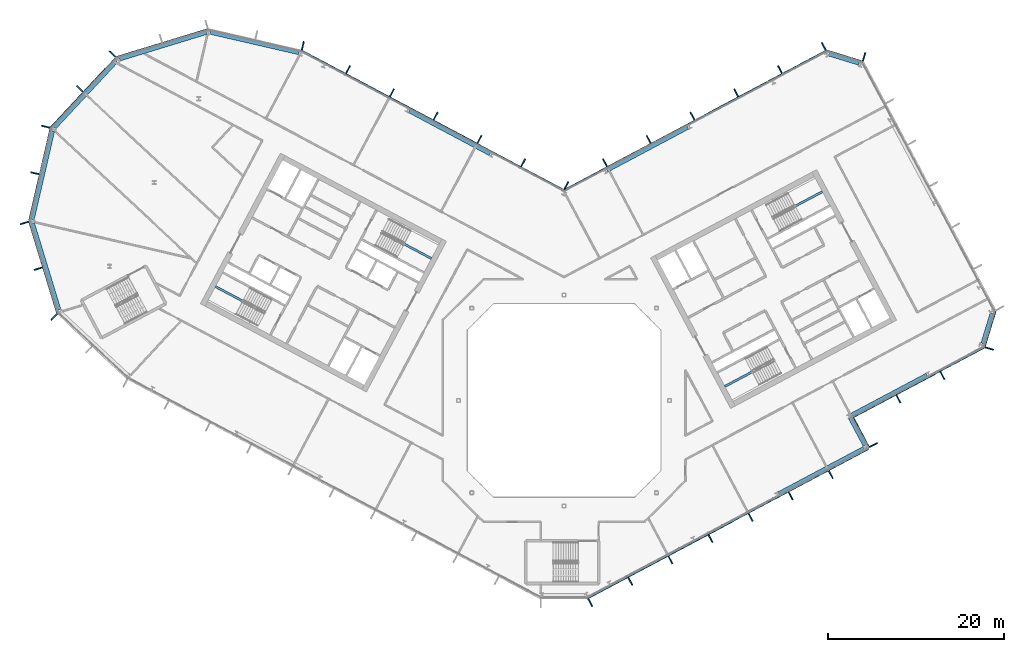
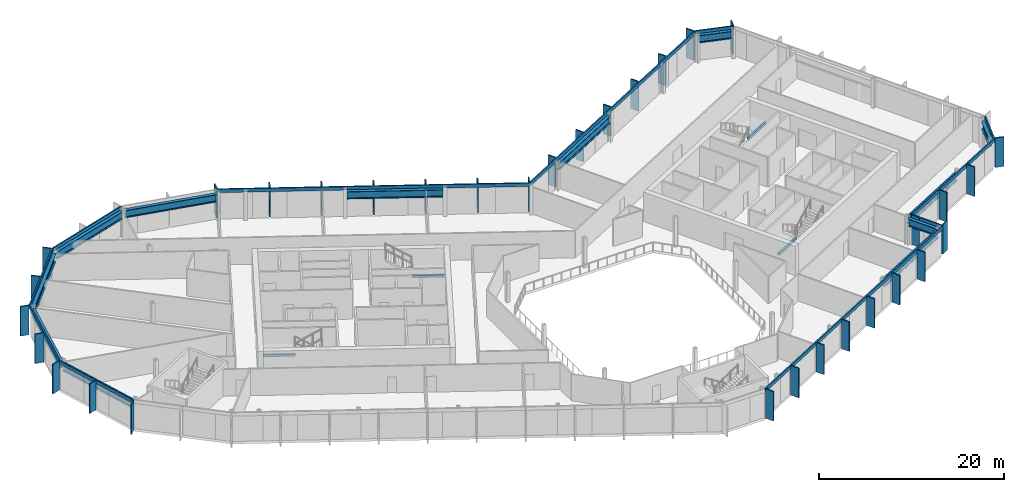
# One storey, part 9 of 27: 44 members, 16 beams, 13 elements without a shape of their own.
"""IFC4 building model written with IfcOpenShell, lengths in metres."""

from ifc_helpers import new_model, si_unit, direction, frame, origin, origin_2d, place, context, subcontext, project, spatial, rectangle, i_section, extrude, material, layer, layer_set, material_profile, profile_set, type_object, element, aggregate, save


model = new_model("IFC4")

# Units and contexts
model_context = context("Model", 3, precision=1e-05, world=origin(), true_north=direction((0.0, 1.0)))
body_context = subcontext(model_context, "Body", "Model", "MODEL_VIEW")
ifc_project = project(units=[si_unit("LENGTHUNIT", "METRE"), si_unit("AREAUNIT", "SQUARE_METRE"), si_unit("VOLUMEUNIT", "CUBIC_METRE"), si_unit("PLANEANGLEUNIT", "RADIAN"), si_unit("MASSUNIT", "GRAM", prefix="KILO")], contexts=[model_context])

# Site, building, storey
site_placement = place(None, origin())
site = spatial("IfcSite", under=ifc_project, at=site_placement, CompositionType="ELEMENT")
building_placement = place(site_placement, origin())
building = spatial("IfcBuilding", under=site, at=building_placement, Name="Cormorant Relay Tower", CompositionType="ELEMENT")
storey_placement = place(building_placement, frame((0.0, 0.0, 201.300048828125)))
storey = spatial("IfcBuildingStorey", under=building, at=storey_placement, Name="L43", CompositionType="ELEMENT", Elevation=201.300048828125)

# Curtain wall, members
ifc_material_1 = material(Name="Aluminium 6063-T6 anodised bronze", Category="aluminium")
ifc_layer = layer(ifc_material_1, 0.199951171875)
ifc_layer_set = layer_set([ifc_layer], Name="CW1 unitised bronze curtain wall with vertical fins")
curtain_wall_type = type_object("IfcCurtainWallType", Name="CW1 unitised bronze curtain wall with vertical fins", PredefinedType="NOTDEFINED", material=ifc_layer_set)
curtain_wall_1_placement = place(storey_placement, origin())
curtain_wall_1 = element("IfcCurtainWall", 1, at=curtain_wall_1_placement, inside=storey, type_object=curtain_wall_type, Name="CW1 curtain wall 2", PredefinedType="NOTDEFINED")
ifc_material_2 = material(Name="Aluminium 6063-T6 anodised bronze", Category="aluminium")
ifc_material_profile_1 = material_profile(ifc_material_2, rectangle(XDim=0.14990234375, YDim=1.0, at=origin_2d()), Name="AL 150x1000")
ifc_profile_set_1 = profile_set([ifc_material_profile_1], Name="Aluminium 6063-T6 anodised bronze")
member_type_1 = type_object("IfcMemberType", Name="CW1 bronze fin mullion 150 x 1000", PredefinedType="MULLION", material=ifc_profile_set_1)
member_1_placement = place(storey_placement, frame((2.9775390625, -22.99365234375, 0.0), z_axis=(0.0, 0.0, 1.0), x_axis=(0.882947592859, 0.469471562786, 0.0)))
member_1 = element("IfcMember", 2, at=member_1_placement, type_object=member_type_1, Name="CW1 fin 2.1", PredefinedType="MULLION", context=body_context, shape_type="SweptSolid", body=[
    extrude(rectangle(XDim=0.14990234375, YDim=1.0, at=origin_2d()), origin(), (0.0, 0.0, 1.0), 3.89990234375),
])
member_2_placement = place(storey_placement, frame((7.539306640625, -20.568115234375, 0.0), z_axis=(0.0, 0.0, 1.0), x_axis=(0.882947592859, 0.469471562786, 0.0)))
member_2 = element("IfcMember", 3, at=member_2_placement, type_object=member_type_1, Name="CW1 fin 2.2", PredefinedType="MULLION", context=body_context, shape_type="SweptSolid", body=[
    extrude(rectangle(XDim=0.14990234375, YDim=1.0, at=origin_2d()), origin(), (0.0, 0.0, 1.0), 3.89990234375),
])
member_3_placement = place(storey_placement, frame((12.10107421875, -18.142578125, 0.0), z_axis=(0.0, 0.0, 1.0), x_axis=(0.882947592859, 0.469471562786, 0.0)))
member_3 = element("IfcMember", 4, at=member_3_placement, type_object=member_type_1, Name="CW1 fin 2.3", PredefinedType="MULLION", context=body_context, shape_type="SweptSolid", body=[
    extrude(rectangle(XDim=0.14990234375, YDim=1.0, at=origin_2d()), origin(), (0.0, 0.0, 1.0), 3.89990234375),
])
member_4_placement = place(storey_placement, frame((16.662841796875, -15.717041015625, 0.0), z_axis=(0.0, 0.0, 1.0), x_axis=(0.882947592859, 0.469471562786, 0.0)))
member_4 = element("IfcMember", 5, at=member_4_placement, type_object=member_type_1, Name="CW1 fin 2.4", PredefinedType="MULLION", context=body_context, shape_type="SweptSolid", body=[
    extrude(rectangle(XDim=0.14990234375, YDim=1.0, at=origin_2d()), origin(), (0.0, 0.0, 1.0), 3.89990234375),
])
member_5_placement = place(storey_placement, frame((21.224609375, -13.29150390625, 0.0), z_axis=(0.0, 0.0, 1.0), x_axis=(0.882947592859, 0.469471562786, 0.0)))
member_5 = element("IfcMember", 6, at=member_5_placement, type_object=member_type_1, Name="CW1 fin 2.5", PredefinedType="MULLION", context=body_context, shape_type="SweptSolid", body=[
    extrude(rectangle(XDim=0.14990234375, YDim=1.0, at=origin_2d()), origin(), (0.0, 0.0, 1.0), 3.89990234375),
])
member_6_placement = place(storey_placement, frame((25.78662109375, -10.865966796875, 0.0), z_axis=(0.0, 0.0, 1.0), x_axis=(0.882947592859, 0.469471562786, 0.0)))
member_6 = element("IfcMember", 7, at=member_6_placement, type_object=member_type_1, Name="CW1 fin 2.6", PredefinedType="MULLION", context=body_context, shape_type="SweptSolid", body=[
    extrude(rectangle(XDim=0.14990234375, YDim=1.0, at=origin_2d()), origin(), (0.0, 0.0, 1.0), 3.89990234375),
])
member_7_placement = place(storey_placement, frame((30.348388671875, -8.440185546875, 0.0), z_axis=(0.0, 0.0, 1.0), x_axis=(0.882947592859, 0.469471562786, 0.0)))
member_7 = element("IfcMember", 8, at=member_7_placement, type_object=member_type_1, Name="CW1 fin 2.7", PredefinedType="MULLION", context=body_context, shape_type="SweptSolid", body=[
    extrude(rectangle(XDim=0.14990234375, YDim=1.0, at=origin_2d()), origin(), (0.0, 0.0, 1.0), 3.89990234375),
])

# Curtain wall, member
curtain_wall_2_placement = place(storey_placement, origin())
curtain_wall_2 = element("IfcCurtainWall", 9, at=curtain_wall_2_placement, inside=storey, type_object=curtain_wall_type, Name="CW1 curtain wall 3", PredefinedType="NOTDEFINED")
member_8_placement = place(storey_placement, frame((35.199462890625, -5.068115234375, 0.0), z_axis=(0.0, 0.0, 1.0), x_axis=(-0.469471562786, 0.882947592859, 0.0)))
member_8 = element("IfcMember", 10, at=member_8_placement, type_object=member_type_1, Name="CW1 fin 3.1", PredefinedType="MULLION", context=body_context, shape_type="SweptSolid", body=[
    extrude(rectangle(XDim=0.14990234375, YDim=1.0, at=origin_2d()), origin(), (0.0, 0.0, 1.0), 3.89990234375),
])

# Curtain wall, members
curtain_wall_3_placement = place(storey_placement, origin())
curtain_wall_3 = element("IfcCurtainWall", 11, at=curtain_wall_3_placement, inside=storey, type_object=curtain_wall_type, Name="CW1 curtain wall 4", PredefinedType="NOTDEFINED")
member_9_placement = place(storey_placement, frame((33.098388671875, -2.44775390625, 0.0), z_axis=(0.0, 0.0, 1.0), x_axis=(0.882947592859, 0.469471562786, 0.0)))
member_9 = element("IfcMember", 12, at=member_9_placement, type_object=member_type_1, Name="CW1 fin 4.1", PredefinedType="MULLION", context=body_context, shape_type="SweptSolid", body=[
    extrude(rectangle(XDim=0.14990234375, YDim=1.0, at=origin_2d()), origin(), (0.0, 0.0, 1.0), 3.89990234375),
])
member_10_placement = place(storey_placement, frame((38.035400390625, 0.177490234375, 0.0), z_axis=(0.0, 0.0, 1.0), x_axis=(0.882947592859, 0.469471562786, 0.0)))
member_10 = element("IfcMember", 13, at=member_10_placement, type_object=member_type_1, Name="CW1 fin 4.2", PredefinedType="MULLION", context=body_context, shape_type="SweptSolid", body=[
    extrude(rectangle(XDim=0.14990234375, YDim=1.0, at=origin_2d()), origin(), (0.0, 0.0, 1.0), 3.89990234375),
])
member_11_placement = place(storey_placement, frame((43.038818359375, 2.837646484375, 0.0), z_axis=(0.0, 0.0, 1.0), x_axis=(0.882947592859, 0.469471562786, 0.0)))
member_11 = element("IfcMember", 14, at=member_11_placement, type_object=member_type_1, Name="CW1 fin 4.3", PredefinedType="MULLION", context=body_context, shape_type="SweptSolid", body=[
    extrude(rectangle(XDim=0.14990234375, YDim=1.0, at=origin_2d()), origin(), (0.0, 0.0, 1.0), 3.89990234375),
])

# Curtain wall, member
curtain_wall_4_placement = place(storey_placement, origin())
curtain_wall_4 = element("IfcCurtainWall", 15, at=curtain_wall_4_placement, inside=storey, type_object=curtain_wall_type, Name="CW1 curtain wall 5", PredefinedType="NOTDEFINED")
member_12_placement = place(storey_placement, frame((48.383056640625, 5.91162109375, 0.0), z_axis=(0.0, 0.0, 1.0), x_axis=(0.292371704723, 0.956304755963, 0.0)))
member_12 = element("IfcMember", 16, at=member_12_placement, type_object=member_type_1, Name="CW1 fin 5.1", PredefinedType="MULLION", context=body_context, shape_type="SweptSolid", body=[
    extrude(rectangle(XDim=0.14990234375, YDim=1.0, at=origin_2d()), origin(), (0.0, 0.0, 1.0), 3.89990234375),
])

curtain_wall_5_placement = place(storey_placement, origin())
curtain_wall_5 = element("IfcCurtainWall", 17, at=curtain_wall_5_placement, inside=storey, type_object=curtain_wall_type, Name="CW1 curtain wall 7", PredefinedType="NOTDEFINED")
member_13_placement = place(storey_placement, frame((34.1357421875, 39.09716796875, 0.0), z_axis=(0.0, 0.0, 1.0), x_axis=(-0.956304755963, 0.292371704723, 0.0)))
member_13 = element("IfcMember", 18, at=member_13_placement, type_object=member_type_1, Name="CW1 fin 7.1", PredefinedType="MULLION", context=body_context, shape_type="SweptSolid", body=[
    extrude(rectangle(XDim=0.14990234375, YDim=1.0, at=origin_2d()), origin(), (0.0, 0.0, 1.0), 3.89990234375),
])

# Curtain wall, members
curtain_wall_6_placement = place(storey_placement, origin())
curtain_wall_6 = element("IfcCurtainWall", 19, at=curtain_wall_6_placement, inside=storey, type_object=curtain_wall_type, Name="CW1 curtain wall 8", PredefinedType="NOTDEFINED")
member_14_placement = place(storey_placement, frame((29.545166015625, 40.2861328125, 0.0), z_axis=(0.0, 0.0, 1.0), x_axis=(-0.882947592859, -0.469471562786, 0.0)))
member_14 = element("IfcMember", 20, at=member_14_placement, type_object=member_type_1, Name="CW1 fin 8.1", PredefinedType="MULLION", context=body_context, shape_type="SweptSolid", body=[
    extrude(rectangle(XDim=0.14990234375, YDim=1.0, at=origin_2d()), origin(), (0.0, 0.0, 1.0), 3.89990234375),
])
member_15_placement = place(storey_placement, frame((24.566162109375, 37.638916015625, 0.0), z_axis=(0.0, 0.0, 1.0), x_axis=(-0.882947592859, -0.469471562786, 0.0)))
member_15 = element("IfcMember", 21, at=member_15_placement, type_object=member_type_1, Name="CW1 fin 8.2", PredefinedType="MULLION", context=body_context, shape_type="SweptSolid", body=[
    extrude(rectangle(XDim=0.14990234375, YDim=1.0, at=origin_2d()), origin(), (0.0, 0.0, 1.0), 3.89990234375),
])
member_16_placement = place(storey_placement, frame((19.587158203125, 34.991455078125, 0.0), z_axis=(0.0, 0.0, 1.0), x_axis=(-0.882947592859, -0.469471562786, 0.0)))
member_16 = element("IfcMember", 22, at=member_16_placement, type_object=member_type_1, Name="CW1 fin 8.3", PredefinedType="MULLION", context=body_context, shape_type="SweptSolid", body=[
    extrude(rectangle(XDim=0.14990234375, YDim=1.0, at=origin_2d()), origin(), (0.0, 0.0, 1.0), 3.89990234375),
])
member_17_placement = place(storey_placement, frame((14.608154296875, 32.343994140625, 0.0), z_axis=(0.0, 0.0, 1.0), x_axis=(-0.882947592859, -0.469471562786, 0.0)))
member_17 = element("IfcMember", 23, at=member_17_placement, type_object=member_type_1, Name="CW1 fin 8.4", PredefinedType="MULLION", context=body_context, shape_type="SweptSolid", body=[
    extrude(rectangle(XDim=0.14990234375, YDim=1.0, at=origin_2d()), origin(), (0.0, 0.0, 1.0), 3.89990234375),
])
member_18_placement = place(storey_placement, frame((9.62939453125, 29.69677734375, 0.0), z_axis=(0.0, 0.0, 1.0), x_axis=(-0.882947592859, -0.469471562786, 0.0)))
member_18 = element("IfcMember", 24, at=member_18_placement, type_object=member_type_1, Name="CW1 fin 8.5", PredefinedType="MULLION", context=body_context, shape_type="SweptSolid", body=[
    extrude(rectangle(XDim=0.14990234375, YDim=1.0, at=origin_2d()), origin(), (0.0, 0.0, 1.0), 3.89990234375),
])
member_19_placement = place(storey_placement, frame((4.650390625, 27.04931640625, 0.0), z_axis=(0.0, 0.0, 1.0), x_axis=(-0.882947592859, -0.469471562786, 0.0)))
member_19 = element("IfcMember", 25, at=member_19_placement, type_object=member_type_1, Name="CW1 fin 8.6", PredefinedType="MULLION", context=body_context, shape_type="SweptSolid", body=[
    extrude(rectangle(XDim=0.14990234375, YDim=1.0, at=origin_2d()), origin(), (0.0, 0.0, 1.0), 3.89990234375),
])

curtain_wall_7_placement = place(storey_placement, origin())
curtain_wall_7 = element("IfcCurtainWall", 26, at=curtain_wall_7_placement, inside=storey, type_object=curtain_wall_type, Name="CW1 curtain wall 9", PredefinedType="NOTDEFINED")
member_20_placement = place(storey_placement, frame((0.262451171875, 24.437255859375, 0.0), z_axis=(0.0, 0.0, 1.0), x_axis=(-0.882947592859, 0.469471562786, 0.0)))
member_20 = element("IfcMember", 27, at=member_20_placement, type_object=member_type_1, Name="CW1 fin 9.1", PredefinedType="MULLION", context=body_context, shape_type="SweptSolid", body=[
    extrude(rectangle(XDim=0.14990234375, YDim=1.0, at=origin_2d()), origin(), (0.0, 0.0, 1.0), 3.89990234375),
])
member_21_placement = place(storey_placement, frame((-4.650390625, 27.04931640625, 0.0), z_axis=(0.0, 0.0, 1.0), x_axis=(-0.882947592859, 0.469471562786, 0.0)))
member_21 = element("IfcMember", 28, at=member_21_placement, type_object=member_type_1, Name="CW1 fin 9.2", PredefinedType="MULLION", context=body_context, shape_type="SweptSolid", body=[
    extrude(rectangle(XDim=0.14990234375, YDim=1.0, at=origin_2d()), origin(), (0.0, 0.0, 1.0), 3.89990234375),
])
member_22_placement = place(storey_placement, frame((-9.62939453125, 29.69677734375, 0.0), z_axis=(0.0, 0.0, 1.0), x_axis=(-0.882947592859, 0.469471562786, 0.0)))
member_22 = element("IfcMember", 29, at=member_22_placement, type_object=member_type_1, Name="CW1 fin 9.3", PredefinedType="MULLION", context=body_context, shape_type="SweptSolid", body=[
    extrude(rectangle(XDim=0.14990234375, YDim=1.0, at=origin_2d()), origin(), (0.0, 0.0, 1.0), 3.89990234375),
])
member_23_placement = place(storey_placement, frame((-14.608154296875, 32.343994140625, 0.0), z_axis=(0.0, 0.0, 1.0), x_axis=(-0.882947592859, 0.469471562786, 0.0)))
member_23 = element("IfcMember", 30, at=member_23_placement, type_object=member_type_1, Name="CW1 fin 9.4", PredefinedType="MULLION", context=body_context, shape_type="SweptSolid", body=[
    extrude(rectangle(XDim=0.14990234375, YDim=1.0, at=origin_2d()), origin(), (0.0, 0.0, 1.0), 3.89990234375),
])
member_24_placement = place(storey_placement, frame((-19.587158203125, 34.991455078125, 0.0), z_axis=(0.0, 0.0, 1.0), x_axis=(-0.882947592859, 0.469471562786, 0.0)))
member_24 = element("IfcMember", 31, at=member_24_placement, type_object=member_type_1, Name="CW1 fin 9.5", PredefinedType="MULLION", context=body_context, shape_type="SweptSolid", body=[
    extrude(rectangle(XDim=0.14990234375, YDim=1.0, at=origin_2d()), origin(), (0.0, 0.0, 1.0), 3.89990234375),
])
member_25_placement = place(storey_placement, frame((-24.566162109375, 37.638916015625, 0.0), z_axis=(0.0, 0.0, 1.0), x_axis=(-0.882947592859, 0.469471562786, 0.0)))
member_25 = element("IfcMember", 32, at=member_25_placement, type_object=member_type_1, Name="CW1 fin 9.6", PredefinedType="MULLION", context=body_context, shape_type="SweptSolid", body=[
    extrude(rectangle(XDim=0.14990234375, YDim=1.0, at=origin_2d()), origin(), (0.0, 0.0, 1.0), 3.89990234375),
])

# Curtain wall, member
curtain_wall_8_placement = place(storey_placement, origin())
curtain_wall_8 = element("IfcCurtainWall", 33, at=curtain_wall_8_placement, inside=storey, type_object=curtain_wall_type, Name="CW1 curtain wall 10", PredefinedType="NOTDEFINED")
member_26_placement = place(storey_placement, frame((-29.71630859375, 40.35009765625, 0.0), z_axis=(0.0, 0.0, 1.0), x_axis=(-0.974370064785, 0.224951054344, 0.0)))
member_26 = element("IfcMember", 34, at=member_26_placement, type_object=member_type_1, Name="CW1 fin 10.1", PredefinedType="MULLION", context=body_context, shape_type="SweptSolid", body=[
    extrude(rectangle(XDim=0.14990234375, YDim=1.0, at=origin_2d()), origin(), (0.0, 0.0, 1.0), 3.89990234375),
])
aggregate(curtain_wall_8, [member_26])

# Curtain wall, members
curtain_wall_9_placement = place(storey_placement, origin())
curtain_wall_9 = element("IfcCurtainWall", 35, at=curtain_wall_9_placement, inside=storey, type_object=curtain_wall_type, Name="CW1 curtain wall 12", PredefinedType="NOTDEFINED")
member_27_placement = place(storey_placement, frame((-51.372802734375, 39.41259765625, 0.0), z_axis=(0.0, 0.0, 1.0), x_axis=(-0.681998360062, -0.731353701619, 0.0)))
member_27 = element("IfcMember", 36, at=member_27_placement, type_object=member_type_1, Name="CW1 fin 12.1", PredefinedType="MULLION", context=body_context, shape_type="SweptSolid", body=[
    extrude(rectangle(XDim=0.14990234375, YDim=1.0, at=origin_2d()), origin(), (0.0, 0.0, 1.0), 3.89990234375),
])
member_28_placement = place(storey_placement, frame((-55.07958984375, 35.4375, 0.0), z_axis=(0.0, 0.0, 1.0), x_axis=(-0.681998360062, -0.731353701619, 0.0)))
member_28 = element("IfcMember", 37, at=member_28_placement, type_object=member_type_1, Name="CW1 fin 12.2", PredefinedType="MULLION", context=body_context, shape_type="SweptSolid", body=[
    extrude(rectangle(XDim=0.14990234375, YDim=1.0, at=origin_2d()), origin(), (0.0, 0.0, 1.0), 3.89990234375),
])

curtain_wall_10_placement = place(storey_placement, origin())
curtain_wall_10 = element("IfcCurtainWall", 38, at=curtain_wall_10_placement, inside=storey, type_object=curtain_wall_type, Name="CW1 curtain wall 13", PredefinedType="NOTDEFINED")
member_29_placement = place(storey_placement, frame((-58.95654296875, 31.142578125, 0.0), z_axis=(0.0, 0.0, 1.0), x_axis=(-0.224951054344, -0.974370064785, 0.0)))
member_29 = element("IfcMember", 39, at=member_29_placement, type_object=member_type_1, Name="CW1 fin 13.1", PredefinedType="MULLION", context=body_context, shape_type="SweptSolid", body=[
    extrude(rectangle(XDim=0.14990234375, YDim=1.0, at=origin_2d()), origin(), (0.0, 0.0, 1.0), 3.89990234375),
])
member_30_placement = place(storey_placement, frame((-60.17919921875, 25.8466796875, 0.0), z_axis=(0.0, 0.0, 1.0), x_axis=(-0.224951054344, -0.974370064785, 0.0)))
member_30 = element("IfcMember", 40, at=member_30_placement, type_object=member_type_1, Name="CW1 fin 13.2", PredefinedType="MULLION", context=body_context, shape_type="SweptSolid", body=[
    extrude(rectangle(XDim=0.14990234375, YDim=1.0, at=origin_2d()), origin(), (0.0, 0.0, 1.0), 3.89990234375),
])

curtain_wall_11_placement = place(storey_placement, origin())
curtain_wall_11 = element("IfcCurtainWall", 41, at=curtain_wall_11_placement, inside=storey, type_object=curtain_wall_type, Name="CW1 curtain wall 14", PredefinedType="NOTDEFINED")
member_31_placement = place(storey_placement, frame((-61.389404296875, 20.188720703125, 0.0), z_axis=(0.0, 0.0, 1.0), x_axis=(0.292371704723, -0.956304755963, 0.0)))
member_31 = element("IfcMember", 42, at=member_31_placement, type_object=member_type_1, Name="CW1 fin 14.1", PredefinedType="MULLION", context=body_context, shape_type="SweptSolid", body=[
    extrude(rectangle(XDim=0.14990234375, YDim=1.0, at=origin_2d()), origin(), (0.0, 0.0, 1.0), 3.89990234375),
])
member_32_placement = place(storey_placement, frame((-59.80029296875, 14.990966796875, 0.0), z_axis=(0.0, 0.0, 1.0), x_axis=(0.292371704723, -0.956304755963, 0.0)))
member_32 = element("IfcMember", 43, at=member_32_placement, type_object=member_type_1, Name="CW1 fin 14.2", PredefinedType="MULLION", context=body_context, shape_type="SweptSolid", body=[
    extrude(rectangle(XDim=0.14990234375, YDim=1.0, at=origin_2d()), origin(), (0.0, 0.0, 1.0), 3.89990234375),
])

# Curtain wall, member
curtain_wall_12_placement = place(storey_placement, origin())
curtain_wall_12 = element("IfcCurtainWall", 44, at=curtain_wall_12_placement, inside=storey, type_object=curtain_wall_type, Name="CW1 curtain wall 15", PredefinedType="NOTDEFINED")
member_33_placement = place(storey_placement, frame((-58.01904296875, 9.486083984375, 0.0), z_axis=(0.0, 0.0, 1.0), x_axis=(0.731353701619, -0.681998360062, 0.0)))
member_33 = element("IfcMember", 45, at=member_33_placement, type_object=member_type_1, Name="CW1 fin 15.1", PredefinedType="MULLION", context=body_context, shape_type="SweptSolid", body=[
    extrude(rectangle(XDim=0.14990234375, YDim=1.0, at=origin_2d()), origin(), (0.0, 0.0, 1.0), 3.89990234375),
])
aggregate(curtain_wall_12, [member_33])

# Member
ifc_material_3 = material(Name="Aluminium 6063-T6 anodised bronze", Category="aluminium")
ifc_material_profile_2 = material_profile(ifc_material_3, rectangle(XDim=0.159912109375, YDim=0.449951171875, at=origin_2d()), Name="AL 160x450")
ifc_profile_set_2 = profile_set([ifc_material_profile_2], Name="Aluminium 6063-T6 anodised bronze")
member_type_2 = type_object("IfcMemberType", Name="CW1 bronze transom 160 x 450", PredefinedType="USERDEFINED", material=ifc_profile_set_2)
member_34_placement = place(storey_placement, frame((2.705078125, -22.4814453125, 3.675048828125), z_axis=(0.882948899141, 0.469469106018, 0.0), x_axis=(-0.469469106018, 0.882948899141, 0.0)))
member_34 = element("IfcMember", 46, at=member_34_placement, type_object=member_type_2, Name="CW1 transom 2", ObjectType="TRANSOM", PredefinedType="USERDEFINED", context=body_context, shape_type="SweptSolid", body=[
    extrude(rectangle(XDim=0.159912109375, YDim=0.449951171875, at=origin_2d()), origin(), (0.0, 0.0, 1.0), 36.165771484375),
])

aggregate(curtain_wall_1, [member_1, member_2, member_3, member_4, member_5, member_6, member_7, member_34])

member_35_placement = place(storey_placement, frame((34.6875, -5.34033203125, 3.675048828125), z_axis=(-0.469485426614, 0.882940221191, 0.0), x_axis=(-0.882940221191, -0.469485426614, 0.0)))
member_35 = element("IfcMember", 47, at=member_35_placement, type_object=member_type_2, Name="CW1 transom 3", ObjectType="TRANSOM", PredefinedType="USERDEFINED", context=body_context, shape_type="SweptSolid", body=[
    extrude(rectangle(XDim=0.159912109375, YDim=0.449951171875, at=origin_2d()), origin(), (0.0, 0.0, 1.0), 4.0),
])

aggregate(curtain_wall_2, [member_8, member_35])

member_36_placement = place(storey_placement, frame((32.760009765625, -1.970947265625, 3.675048828125), z_axis=(0.882941803911, 0.469482450052, 0.0), x_axis=(-0.469482450052, 0.882941803911, 0.0)))
member_36 = element("IfcMember", 48, at=member_36_placement, type_object=member_type_2, Name="CW1 transom 4", ObjectType="TRANSOM", PredefinedType="USERDEFINED", context=body_context, shape_type="SweptSolid", body=[
    extrude(rectangle(XDim=0.159912109375, YDim=0.449951171875, at=origin_2d()), origin(), (0.0, 0.0, 1.0), 17.0),
])

aggregate(curtain_wall_3, [member_9, member_10, member_11, member_36])

member_37_placement = place(storey_placement, frame((47.828369140625, 6.0810546875, 3.675048828125), z_axis=(0.292391046905, 0.95629884225, 0.0), x_axis=(-0.95629884225, 0.292391046905, 0.0)))
member_37 = element("IfcMember", 49, at=member_37_placement, type_object=member_type_2, Name="CW1 transom 5", ObjectType="TRANSOM", PredefinedType="USERDEFINED", context=body_context, shape_type="SweptSolid", body=[
    extrude(rectangle(XDim=0.159912109375, YDim=0.449951171875, at=origin_2d()), origin(), (0.0, 0.0, 1.0), 4.242431640625),
])

aggregate(curtain_wall_4, [member_12, member_37])

member_38_placement = place(storey_placement, frame((33.966064453125, 38.54248046875, 3.675048828125), z_axis=(-0.956303761594, 0.292374957137, 0.0), x_axis=(-0.292374957137, -0.956303761594, 0.0)))
member_38 = element("IfcMember", 50, at=member_38_placement, type_object=member_type_2, Name="CW1 transom 7", ObjectType="TRANSOM", PredefinedType="USERDEFINED", context=body_context, shape_type="SweptSolid", body=[
    extrude(rectangle(XDim=0.159912109375, YDim=0.449951171875, at=origin_2d()), origin(), (0.0, 0.0, 1.0), 4.24267578125),
])

aggregate(curtain_wall_5, [member_13, member_38])

member_39_placement = place(storey_placement, frame((29.8173828125, 39.774169921875, 3.675048828125), z_axis=(-0.882946280328, -0.46947403129, 0.0), x_axis=(0.46947403129, -0.882946280328, 0.0)))
member_39 = element("IfcMember", 51, at=member_39_placement, type_object=member_type_2, Name="CW1 transom 8", ObjectType="TRANSOM", PredefinedType="USERDEFINED", context=body_context, shape_type="SweptSolid", body=[
    extrude(rectangle(XDim=0.159912109375, YDim=0.449951171875, at=origin_2d()), origin(), (0.0, 0.0, 1.0), 33.834228515625),
])

aggregate(curtain_wall_6, [member_14, member_15, member_16, member_17, member_18, member_19, member_39])

member_40_placement = place(storey_placement, frame((0.056396484375, 23.889892578125, 3.675048828125), z_axis=(-0.882946280328, 0.46947403129, 0.0), x_axis=(-0.46947403129, -0.882946280328, 0.0)))
member_40 = element("IfcMember", 52, at=member_40_placement, type_object=member_type_2, Name="CW1 transom 9", ObjectType="TRANSOM", PredefinedType="USERDEFINED", context=body_context, shape_type="SweptSolid", body=[
    extrude(rectangle(XDim=0.159912109375, YDim=0.449951171875, at=origin_2d()), origin(), (0.0, 0.0, 1.0), 33.834228515625),
])

aggregate(curtain_wall_7, [member_20, member_21, member_22, member_23, member_24, member_25, member_40])

# Curtain wall, member
curtain_wall_13_placement = place(storey_placement, origin())
curtain_wall_13 = element("IfcCurtainWall", 53, at=curtain_wall_13_placement, inside=storey, type_object=curtain_wall_type, Name="CW1 curtain wall 11", PredefinedType="NOTDEFINED")
member_41_placement = place(storey_placement, frame((-40.50048828125, 42.228271484375, 3.675048828125), z_axis=(-0.956304833932, -0.292371449698, 0.0), x_axis=(0.292371449698, -0.956304833932, 0.0)))
member_41 = element("IfcMember", 54, at=member_41_placement, type_object=member_type_2, Name="CW1 transom 11", ObjectType="TRANSOM", PredefinedType="USERDEFINED", context=body_context, shape_type="SweptSolid", body=[
    extrude(rectangle(XDim=0.159912109375, YDim=0.449951171875, at=origin_2d()), origin(), (0.0, 0.0, 1.0), 10.87060546875),
])
aggregate(curtain_wall_13, [member_41])

# Member
member_42_placement = place(storey_placement, frame((-50.94873046875, 39.01708984375, 3.675048828125), z_axis=(-0.681993299437, -0.731358420696, 0.0), x_axis=(0.731358420696, -0.681993299437, 0.0)))
member_42 = element("IfcMember", 55, at=member_42_placement, type_object=member_type_2, Name="CW1 transom 12", ObjectType="TRANSOM", PredefinedType="USERDEFINED", context=body_context, shape_type="SweptSolid", body=[
    extrude(rectangle(XDim=0.159912109375, YDim=0.449951171875, at=origin_2d()), origin(), (0.0, 0.0, 1.0), 10.870361328125),
])

aggregate(curtain_wall_9, [member_27, member_28, member_42])

member_43_placement = place(storey_placement, frame((-58.3916015625, 31.01220703125, 3.675048828125), z_axis=(-0.22495136131, -0.974369993916, 0.0), x_axis=(0.974369993916, -0.22495136131, 0.0)))
member_43 = element("IfcMember", 56, at=member_43_placement, type_object=member_type_2, Name="CW1 transom 13", ObjectType="TRANSOM", PredefinedType="USERDEFINED", context=body_context, shape_type="SweptSolid", body=[
    extrude(rectangle(XDim=0.159912109375, YDim=0.449951171875, at=origin_2d()), origin(), (0.0, 0.0, 1.0), 10.870361328125),
])

aggregate(curtain_wall_10, [member_29, member_30, member_43])

member_44_placement = place(storey_placement, frame((-60.834716796875, 20.358154296875, 3.675048828125), z_axis=(0.292377729282, -0.95630291405, 0.0), x_axis=(0.95630291405, 0.292377729282, 0.0)))
member_44 = element("IfcMember", 57, at=member_44_placement, type_object=member_type_2, Name="CW1 transom 14", ObjectType="TRANSOM", PredefinedType="USERDEFINED", context=body_context, shape_type="SweptSolid", body=[
    extrude(rectangle(XDim=0.159912109375, YDim=0.449951171875, at=origin_2d()), origin(), (0.0, 0.0, 1.0), 10.870361328125),
])

aggregate(curtain_wall_11, [member_31, member_32, member_44])

# Beams
ifc_material_4 = material(Name="Steel ASTM A992 (Fy 345 MPa)", Category="steel")
ifc_material_profile_3 = material_profile(ifc_material_4, i_section(OverallWidth=0.4013671875, OverallDepth=0.990478515625, WebThickness=0.0166015625, FlangeThickness=0.031005859375, FilletRadius=0.030029296875, at=origin_2d()), Name="W1000x320")
ifc_profile_set_3 = profile_set([ifc_material_profile_3], Name="Steel ASTM A992 (Fy 345 MPa)")
beam_type_1 = type_object("IfcBeamType", Name="Spandrel W1000x320", PredefinedType="SPANDREL", material=ifc_profile_set_3)
beam_1_placement = place(storey_placement, frame((24.423583984375, -10.5703125, 3.044677734375), z_axis=(0.882952735253, 0.469461891221, 0.0), x_axis=(-0.469461891221, 0.882952735253, 0.0)))
element("IfcBeam", 58, at=beam_1_placement, inside=storey, type_object=beam_type_1, Name="Spandrel beam L43-002", PredefinedType="SPANDREL", context=body_context, shape_type="SweptSolid", body=[
    extrude(i_section(OverallWidth=0.4013671875, OverallDepth=0.990478515625, WebThickness=0.0166015625, FlangeThickness=0.031005859375, FilletRadius=0.030029296875, at=origin_2d()), origin(), (0.0, 0.0, 1.0), 10.96142578125),
])
beam_2_placement = place(storey_placement, frame((34.20458984375, -5.115478515625, 3.044677734375), z_axis=(-0.469423552529, 0.882973118691, 0.0), x_axis=(-0.882973118691, -0.469423552529, 0.0)))
element("IfcBeam", 59, at=beam_2_placement, inside=storey, type_object=beam_type_1, Name="Spandrel beam L43-003", PredefinedType="SPANDREL", context=body_context, shape_type="SweptSolid", body=[
    extrude(i_section(OverallWidth=0.4013671875, OverallDepth=0.990478515625, WebThickness=0.0166015625, FlangeThickness=0.031005859375, FilletRadius=0.030029296875, at=origin_2d()), origin(), (0.0, 0.0, 1.0), 3.56982421875),
])
beam_3_placement = place(storey_placement, frame((32.609375, -1.687744140625, 3.044677734375), z_axis=(0.882948215634, 0.469470391515, 0.0), x_axis=(-0.469470391515, 0.882948215634, 0.0)))
element("IfcBeam", 60, at=beam_3_placement, inside=storey, type_object=beam_type_1, Name="Spandrel beam L43-004", PredefinedType="SPANDREL", context=body_context, shape_type="SweptSolid", body=[
    extrude(i_section(OverallWidth=0.4013671875, OverallDepth=0.990478515625, WebThickness=0.0166015625, FlangeThickness=0.031005859375, FilletRadius=0.030029296875, at=origin_2d()), origin(), (0.0, 0.0, 1.0), 9.79736328125),
])
for number, where, z_axis, x_axis, name in (
    (61, (47.618896484375, 6.4921875, 3.044677734375), (0.292349563537, 0.956311524923, 0.0), (-0.956311524923, 0.292349563537, 0.0), "Spandrel beam L43-005"),
    (62, (33.5546875, 38.3330078125, 3.044677734375), (-0.956311524923, 0.292349563537, 0.0), (-0.292349563537, -0.956311524923, 0.0), "Spandrel beam L43-007"),
):
    element("IfcBeam", number, at=place(storey_placement, frame(where, z_axis=z_axis, x_axis=x_axis)), inside=storey, type_object=beam_type_1, Name=name, PredefinedType="SPANDREL", context=body_context, shape_type="SweptSolid", body=[
        extrude(i_section(OverallWidth=0.4013671875, OverallDepth=0.990478515625, WebThickness=0.0166015625, FlangeThickness=0.031005859375, FilletRadius=0.030029296875, at=origin_2d()), origin(), (0.0, 0.0, 1.0), 3.59765625),
    ])
for number, where, z_axis, x_axis, name in (
    (63, (14.0732421875, 31.03955078125, 3.044677734375), (-0.882949648898, -0.469467695918, 0.0), (0.469467695918, -0.882949648898, 0.0), "Spandrel beam L43-008"),
    (64, (-8.426025390625, 28.036865234375, 3.044677734375), (-0.882949648898, 0.469467695918, 0.0), (-0.469467695918, -0.882949648898, 0.0), "Spandrel beam L43-009"),
):
    element("IfcBeam", number, at=place(storey_placement, frame(where, z_axis=z_axis, x_axis=x_axis)), inside=storey, type_object=beam_type_1, Name=name, PredefinedType="SPANDREL", context=body_context, shape_type="SweptSolid", body=[
        extrude(i_section(OverallWidth=0.4013671875, OverallDepth=0.990478515625, WebThickness=0.0166015625, FlangeThickness=0.031005859375, FilletRadius=0.030029296875, at=origin_2d()), origin(), (0.0, 0.0, 1.0), 10.39599609375),
    ])
beam_4_placement = place(storey_placement, frame((-30.1533203125, 39.526611328125, 3.044677734375), z_axis=(-0.97436619016, 0.22496783653, 0.0), x_axis=(-0.22496783653, -0.97436619016, 0.0)))
element("IfcBeam", 65, at=beam_4_placement, inside=storey, type_object=beam_type_1, Name="Spandrel beam L43-010", PredefinedType="SPANDREL", context=body_context, shape_type="SweptSolid", body=[
    extrude(i_section(OverallWidth=0.4013671875, OverallDepth=0.990478515625, WebThickness=0.0166015625, FlangeThickness=0.031005859375, FilletRadius=0.030029296875, at=origin_2d()), origin(), (0.0, 0.0, 1.0), 10.369384765625),
])
beam_5_placement = place(storey_placement, frame((-40.680419921875, 41.837890625, 3.044677734375), z_axis=(-0.956303094801, -0.292377138084, 0.0), x_axis=(0.292377138084, -0.956303094801, 0.0)))
element("IfcBeam", 66, at=beam_5_placement, inside=storey, type_object=beam_type_1, Name="Spandrel beam L43-011", PredefinedType="SPANDREL", context=body_context, shape_type="SweptSolid", body=[
    extrude(i_section(OverallWidth=0.4013671875, OverallDepth=0.990478515625, WebThickness=0.0166015625, FlangeThickness=0.031005859375, FilletRadius=0.030029296875, at=origin_2d()), origin(), (0.0, 0.0, 1.0), 10.32421875),
])
beam_6_placement = place(storey_placement, frame((-50.90966796875, 38.5888671875, 3.044677734375), z_axis=(-0.681996285296, -0.731355636365, 0.0), x_axis=(0.731355636365, -0.681996285296, 0.0)))
element("IfcBeam", 67, at=beam_6_placement, inside=storey, type_object=beam_type_1, Name="Spandrel beam L43-012", PredefinedType="SPANDREL", context=body_context, shape_type="SweptSolid", body=[
    extrude(i_section(OverallWidth=0.4013671875, OverallDepth=0.990478515625, WebThickness=0.0166015625, FlangeThickness=0.031005859375, FilletRadius=0.030029296875, at=origin_2d()), origin(), (0.0, 0.0, 1.0), 10.32275390625),
])
beam_7_placement = place(storey_placement, frame((-58.143310546875, 30.66162109375, 3.044677734375), z_axis=(-0.224957947919, -0.974368473252, 0.0), x_axis=(0.974368473252, -0.224957947919, 0.0)))
element("IfcBeam", 68, at=beam_7_placement, inside=storey, type_object=beam_type_1, Name="Spandrel beam L43-013", PredefinedType="SPANDREL", context=body_context, shape_type="SweptSolid", body=[
    extrude(i_section(OverallWidth=0.4013671875, OverallDepth=0.990478515625, WebThickness=0.0166015625, FlangeThickness=0.031005859375, FilletRadius=0.030029296875, at=origin_2d()), origin(), (0.0, 0.0, 1.0), 10.32421875),
])
beam_8_placement = place(storey_placement, frame((-60.4443359375, 20.178466796875, 3.044677734375), z_axis=(0.29236873538, -0.956305663777, 0.0), x_axis=(0.956305663777, 0.29236873538, 0.0)))
element("IfcBeam", 69, at=beam_8_placement, inside=storey, type_object=beam_type_1, Name="Spandrel beam L43-014", PredefinedType="SPANDREL", context=body_context, shape_type="SweptSolid", body=[
    extrude(i_section(OverallWidth=0.4013671875, OverallDepth=0.990478515625, WebThickness=0.0166015625, FlangeThickness=0.031005859375, FilletRadius=0.030029296875, at=origin_2d()), origin(), (0.0, 0.0, 1.0), 10.32373046875),
])
ifc_material_5 = material(Name="Concrete 50 MPa", Category="concrete")
ifc_material_profile_4 = material_profile(ifc_material_5, rectangle(XDim=0.25, YDim=0.300048828125, at=origin_2d()), Name="RC 250x300")
ifc_profile_set_4 = profile_set([ifc_material_profile_4], Name="Concrete 50 MPa")
beam_type_2 = type_object("IfcBeamType", Name="Stair landing ledge beam 250x300", PredefinedType="BEAM", material=ifc_profile_set_4)
beam_9_placement = place(storey_placement, frame((-18.219482421875, 17.813720703125, 1.599853515625), z_axis=(0.882950035608, -0.469466968614, 0.0), x_axis=(0.469466968614, 0.882950035608, 0.0)))
element("IfcBeam", 70, at=beam_9_placement, inside=storey, type_object=beam_type_2, Name="A1 landing ledge beam", PredefinedType="BEAM", context=body_context, shape_type="SweptSolid", body=[
    extrude(rectangle(XDim=0.25, YDim=0.300048828125, at=origin_2d()), origin(), (0.0, 0.0, 1.0), 3.5498046875),
])
for number, where, z_axis, x_axis, name in (
    (71, (-36.523193359375, 11.29345703125, 1.599853515625), (-0.88293668587, 0.469492075273, 0.0), (-0.469492075273, -0.88293668587, 0.0), "A2 landing ledge beam"),
    (72, (21.4248046875, 3.265380859375, 1.599853515625), (-0.88296519247, -0.469438461235, 0.0), (0.469438461235, -0.88296519247, 0.0), "B1 landing ledge beam"),
    (73, (26.25439453125, 22.0859375, 1.599853515625), (0.88296519247, 0.469438461235, 0.0), (-0.469438461235, 0.88296519247, 0.0), "B2 landing ledge beam"),
):
    element("IfcBeam", number, at=place(storey_placement, frame(where, z_axis=z_axis, x_axis=x_axis)), inside=storey, type_object=beam_type_2, Name=name, PredefinedType="BEAM", context=body_context, shape_type="SweptSolid", body=[
        extrude(rectangle(XDim=0.25, YDim=0.300048828125, at=origin_2d()), origin(), (0.0, 0.0, 1.0), 3.550048828125),
    ])

save(model, "model.ifc")
